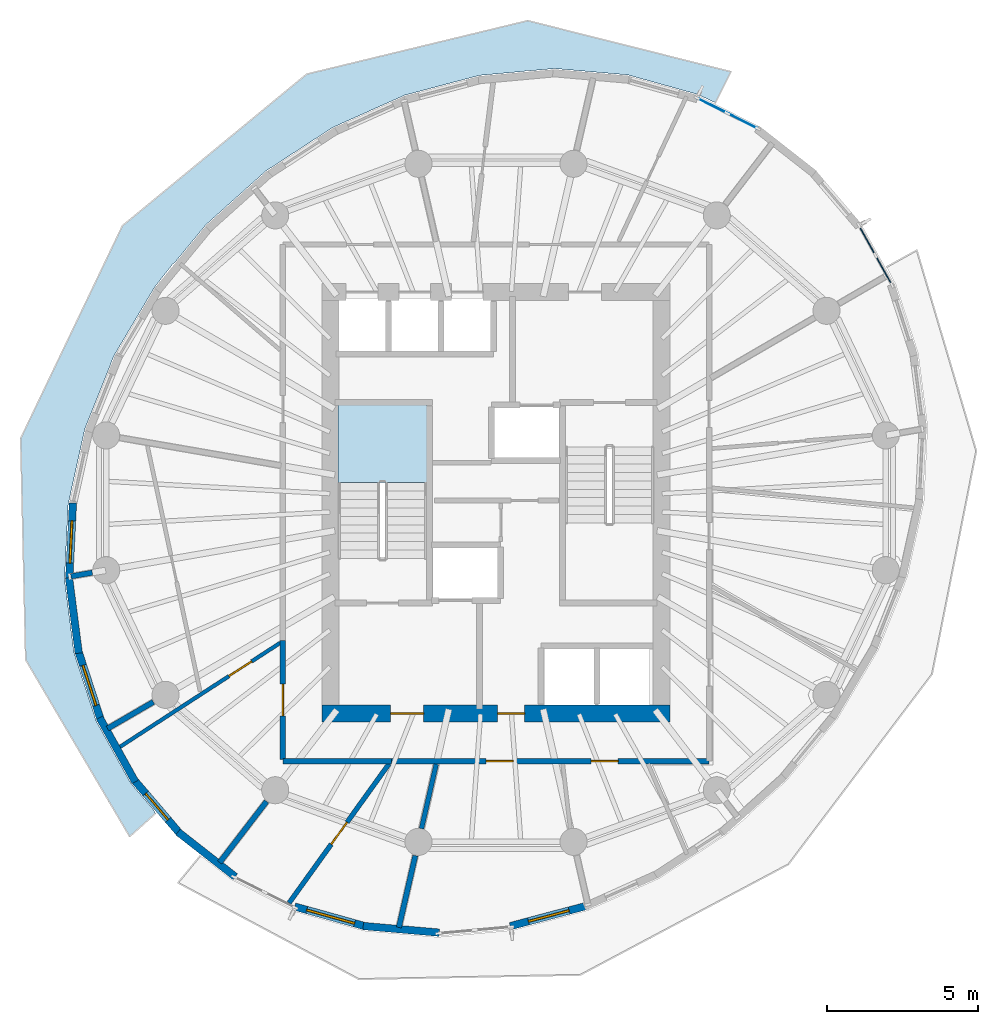
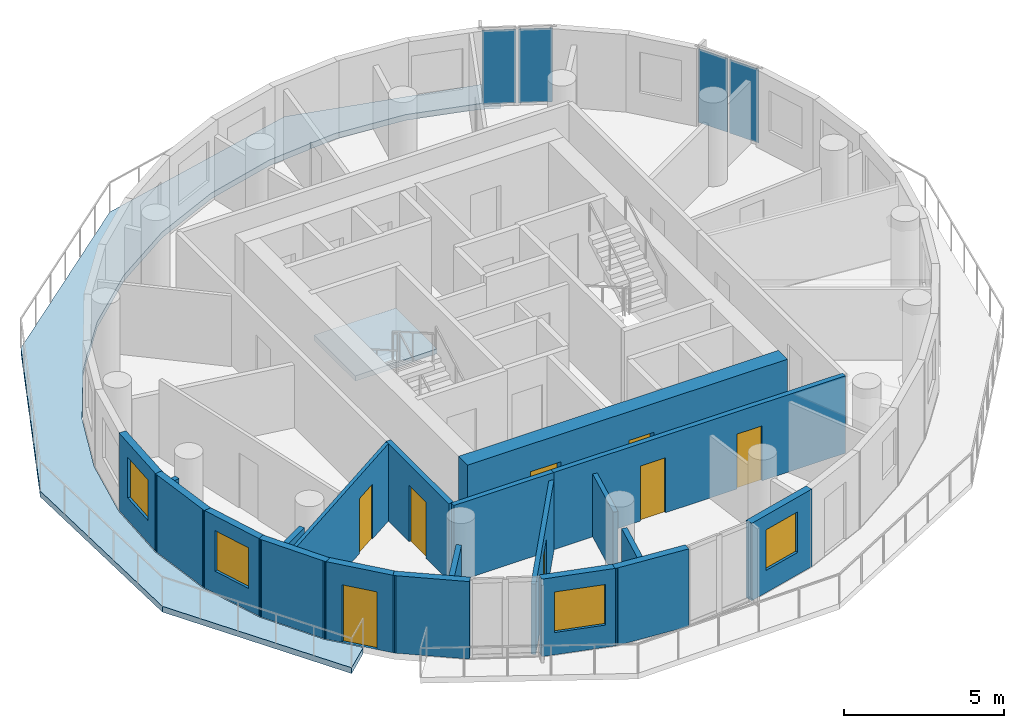
# One storey, part 4 of 10: 20 walls, 8 doors, 4 plates, 4 windows, 2 slabs, 12 openings, 3 elements without a shape of their own.
"""IFC4 building model written with IfcOpenShell, lengths in metres."""

from ifc_helpers import new_model, si_unit, direction, frame, frame_2d, origin, origin_2d, place, context, subcontext, project, spatial, polyline, rectangle, outline, extrude, material, layer, layer_set, type_object, element, fill, aggregate, save


model = new_model("IFC4")

# Units and contexts
model_context = context("Model", 3, precision=1e-05, world=origin(), true_north=direction((0.0, 1.0)))
body_context = subcontext(model_context, "Body", "Model", "MODEL_VIEW")
ifc_project = project(units=[si_unit("LENGTHUNIT", "METRE"), si_unit("AREAUNIT", "SQUARE_METRE"), si_unit("VOLUMEUNIT", "CUBIC_METRE"), si_unit("PLANEANGLEUNIT", "RADIAN"), si_unit("MASSUNIT", "GRAM", prefix="KILO")], contexts=[model_context])

# Site, building, storey
site_placement = place(None, origin())
site = spatial("IfcSite", under=ifc_project, at=site_placement, CompositionType="ELEMENT")
building_placement = place(site_placement, origin())
building = spatial("IfcBuilding", under=site, at=building_placement, Name="Veldorim Arch Residences", CompositionType="ELEMENT")
storey_placement = place(building_placement, frame((0.0, 0.0, 188.639892578125)))
storey = spatial("IfcBuildingStorey", under=building, at=storey_placement, Name="L56", CompositionType="ELEMENT", Elevation=188.639892578125)

# Slab
ifc_material_1 = material(Name="Concrete C40/50", Category="concrete")
ifc_layer_1 = layer(ifc_material_1, 0.219970703125, Name="Planted Crescent Cantilever Balcony Slab 220")
ifc_layer_set_1 = layer_set([ifc_layer_1], Name="Concrete C40/50")
slab_type_1 = type_object("IfcSlabType", Name="Planted Crescent Cantilever Balcony Slab 220", PredefinedType="FLOOR", material=ifc_layer_set_1)
slab_1_placement = place(storey_placement, frame((0.0, 0.0, -0.219970703125)))
element("IfcSlab", 1, at=slab_1_placement, inside=storey, type_object=slab_type_1, Name="L56 planted crescent balcony slab A", PredefinedType="FLOOR", context=body_context, shape_type="SweptSolid", body=[
    extrude(outline(polyline([(39.28564453125, 37.28955078125), (38.68505859375, 37.567138671875), (36.380615234375, 38.210205078125), (33.943115234375, 38.421630859375), (33.142822265625, 38.348876953125), (33.048095703125, 38.365234375), (32.92724609375, 38.329345703125), (31.447021484375, 38.194580078125), (28.967529296875, 37.53662109375), (26.58056640625, 36.46728515625), (24.358154296875, 35.019287109375), (22.3681640625, 33.23681640625), (21.35693359375, 32.008056640625), (21.263916015625, 31.928955078125), (20.67041015625, 31.173583984375), (19.31689453125, 28.892578125), (18.348388671875, 26.462890625), (17.794677734375, 23.958251953125), (17.67236328125, 21.45458984375), (17.985595703125, 19.0283203125), (18.724609375, 16.752685546875), (19.867431640625, 14.697265625), (20.63232421875, 13.80029296875), (20.68994140625, 13.6826171875), (19.83251953125, 12.916015625), (16.380615234375, 18.785400390625), (16.214599609375, 26.140380859375), (19.595458984375, 33.204345703125), (25.710205078125, 38.236572265625), (33.0537109375, 40.0126953125), (39.800537109375, 38.31787109375), (39.28564453125, 37.28955078125)])), origin(), (0.0, 0.0, 1.0), 0.219970703125),
])

# Stair, slab
ifc_material_2 = material(Name="Concrete C40/50", Category="concrete")
stair_type = type_object("IfcStairType", Name="Reinforced Concrete Dogleg Exit Staircase", PredefinedType="HALF_TURN_STAIR", material=ifc_material_2)
stair_placement = place(storey_placement, origin())
stair = element("IfcStair", 2, at=stair_placement, inside=storey, type_object=stair_type, Name="L56 Exit Staircase ST-1", PredefinedType="HALF_TURN_STAIR")
ifc_material_3 = material(Name="Concrete C40/50", Category="concrete")
ifc_layer_2 = layer(ifc_material_3, 0.199951171875, Name="Reinforced Concrete Stair Landing 200")
ifc_layer_set_2 = layer_set([ifc_layer_2], Name="Concrete C40/50")
slab_type_2 = type_object("IfcSlabType", Name="Reinforced Concrete Stair Landing 200", PredefinedType="LANDING", material=ifc_layer_set_2)
slab_2_placement = place(storey_placement, frame((0.0, 0.0, 1.400146484375)))
slab_2 = element("IfcSlab", 3, at=slab_2_placement, type_object=slab_type_2, Name="ST-1 landing 1", PredefinedType="LANDING", context=body_context, shape_type="SweptSolid", body=[
    extrude(outline(polyline([(29.7099609375, 24.669921875), (29.7099609375, 27.25), (26.75, 27.25), (26.75, 24.669921875), (29.7099609375, 24.669921875)])), origin(), (0.0, 0.0, 1.0), 0.199951171875),
])
aggregate(stair, [slab_2])

# Curtain wall, plates
ifc_material_4 = material(Name="Aluminium", Category="aluminium")
curtain_wall_type = type_object("IfcCurtainWallType", Name="Zone 4 High-Altitude Unitised Curtain Wall", PredefinedType="NOTDEFINED", material=ifc_material_4)
curtain_wall_1_placement = place(storey_placement, origin())
curtain_wall_1 = element("IfcCurtainWall", 4, at=curtain_wall_1_placement, inside=storey, type_object=curtain_wall_type, Name="L56 unitised curtain wall bay 02", PredefinedType="NOTDEFINED")
ifc_material_5 = material(Name="Laminated Low-E Glass", Category="glass")
ifc_layer_3 = layer(ifc_material_5, 0.030029296875, Name="Zone 4 High-Altitude Unitised Curtain Wall Glazing Panel 30")
ifc_layer_set_3 = layer_set([ifc_layer_3], Name="Laminated Low-E Glass")
plate_type = type_object("IfcPlateType", Name="Zone 4 High-Altitude Unitised Curtain Wall Glazing Panel 30", PredefinedType="CURTAIN_PANEL", material=ifc_layer_set_3)
plate_1_placement = place(storey_placement, frame((39.176513671875, 37.191650390625, 0.0751953125), z_axis=(0.0, 0.0, 1.0), x_axis=(0.893599006107, -0.448866145175, 0.0)))
plate_1 = element("IfcPlate", 5, at=plate_1_placement, type_object=plate_type, Name="CW-Z4 panel 1.1", PredefinedType="CURTAIN_PANEL", context=body_context, shape_type="SweptSolid", body=[
    extrude(rectangle(XDim=1.060791015625, YDim=0.030029296875, at=origin_2d()), origin(), (0.0, 0.0, 1.0), 2.81005859375),
])
plate_2_placement = place(storey_placement, frame((40.191650390625, 36.681640625, 0.0751953125), z_axis=(0.0, 0.0, 1.0), x_axis=(0.893599006107, -0.448866145175, 0.0)))
plate_2 = element("IfcPlate", 6, at=plate_2_placement, type_object=plate_type, Name="CW-Z4 panel 2.1", PredefinedType="CURTAIN_PANEL", context=body_context, shape_type="SweptSolid", body=[
    extrude(rectangle(XDim=1.060791015625, YDim=0.030029296875, at=origin_2d()), origin(), (0.0, 0.0, 1.0), 2.81005859375),
])
aggregate(curtain_wall_1, [plate_1, plate_2])

curtain_wall_2_placement = place(storey_placement, origin())
curtain_wall_2 = element("IfcCurtainWall", 7, at=curtain_wall_2_placement, inside=storey, type_object=curtain_wall_type, Name="L56 unitised curtain wall bay 35", PredefinedType="NOTDEFINED")
plate_3_placement = place(storey_placement, frame((44.327392578125, 32.715576171875, 0.0751953125), z_axis=(0.0, 0.0, 1.0), x_axis=(0.485885308861, -0.874022577874, 0.0)))
plate_3 = element("IfcPlate", 8, at=plate_3_placement, type_object=plate_type, Name="CW-Z4 panel 1.1", PredefinedType="CURTAIN_PANEL", context=body_context, shape_type="SweptSolid", body=[
    extrude(rectangle(XDim=1.06103515625, YDim=0.030029296875, at=origin_2d()), origin(), (0.0, 0.0, 1.0), 2.81005859375),
])
plate_4_placement = place(storey_placement, frame((44.87939453125, 31.722900390625, 0.0751953125), z_axis=(0.0, 0.0, 1.0), x_axis=(0.485885308861, -0.874022577874, 0.0)))
plate_4 = element("IfcPlate", 9, at=plate_4_placement, type_object=plate_type, Name="CW-Z4 panel 2.1", PredefinedType="CURTAIN_PANEL", context=body_context, shape_type="SweptSolid", body=[
    extrude(rectangle(XDim=1.06103515625, YDim=0.030029296875, at=origin_2d()), origin(), (0.0, 0.0, 1.0), 2.81005859375),
])
aggregate(curtain_wall_2, [plate_3, plate_4])

# Wall, opening, door
ifc_material_6 = material(Name="Acoustic Gypsum Board", Category="gypsum")
ifc_layer_4 = layer(ifc_material_6, 0.125, Name="Acoustic Stud Room Partition Wall 125")
ifc_layer_set_4 = layer_set([ifc_layer_4], Name="Acoustic Gypsum Board")
wall_type_1 = type_object("IfcWallType", Name="Acoustic Stud Room Partition Wall 125", PredefinedType="PARTITIONING", material=ifc_layer_set_4)
wall_1_placement = place(storey_placement, frame((19.421875, 15.838134765625, 0.0), z_axis=(0.0, 0.0, 1.0), x_axis=(0.838876327826, 0.544322061479, 0.0)))
wall_1 = element("IfcWall", 10, at=wall_1_placement, inside=storey, type_object=wall_type_1, Name="L56 interior wall WL-RES-L56-021", PredefinedType="PARTITIONING", context=body_context, shape_type="SweptSolid", body=[
    extrude(rectangle(XDim=6.454345703125, YDim=0.125, at=frame_2d((3.22705078125, 0.0))), origin(), (0.0, 0.0, 1.0), 2.955078125),
])
opening_1_placement = place(wall_1_placement, frame((4.41943359375, 0.0, 0.0)))
opening_1 = element("IfcOpeningElement", 11, at=opening_1_placement, cuts=wall_1, Name="Opening DR-INT", PredefinedType="OPENING", context=body_context, shape_type="SweptSolid", body=[
    extrude(rectangle(XDim=0.89990234375, YDim=2.10009765625, at=frame_2d((0.449951171875, 1.050048828125))), frame((0.0, 0.072509765625, 0.0), z_axis=(0.0, -1.0, 0.0), x_axis=(1.0, 0.0, 0.0)), (0.0, 0.0, 1.0), 0.14501953125),
])
ifc_material_7 = material(Name="Engineered Timber", Category="wood")
door_type_1 = type_object("IfcDoorType", Name="Apartment Internal Room Timber Door 900x2100", OperationType="SINGLE_SWING_LEFT", PredefinedType="DOOR", material=ifc_material_7)
door_1_placement = place(opening_1_placement, origin())
door_1 = element("IfcDoor", 12, at=door_1_placement, inside=storey, type_object=door_type_1, Name="L56 interior door DR-RES-L56-014", OperationType="SINGLE_SWING_RIGHT", OverallHeight=2.10009765625, OverallWidth=0.89990234375, PredefinedType="DOOR", context=body_context, shape_type="SweptSolid", body=[
    extrude(rectangle(XDim=0.89990234375, YDim=2.10009765625, at=frame_2d((0.449951171875, 1.050048828125))), frame((0.0, 0.02490234375, 0.0), z_axis=(0.0, -1.0, 0.0), x_axis=(1.0, 0.0, 0.0)), (0.0, 0.0, 1.0), 0.050048828125),
])
fill(opening_1, door_1)

# Walls
ifc_material_8 = material(Name="Lightweight Masonry Block & Gypsum", Category="masonry")
ifc_layer_5 = layer(ifc_material_8, 0.179931640625, Name="Compartment & Corridor Fire-Rated Party Wall 180")
ifc_layer_set_5 = layer_set([ifc_layer_5], Name="Lightweight Masonry Block & Gypsum")
wall_type_2 = type_object("IfcWallType", Name="Compartment & Corridor Fire-Rated Party Wall 180", PredefinedType="PARTITIONING", material=ifc_layer_set_5)
wall_2_placement = place(storey_placement, frame((18.590576171875, 21.680419921875, 0.0), z_axis=(0.0, 0.0, 1.0), x_axis=(-0.985336223431, -0.170623933826, 0.0)))
element("IfcWall", 13, at=wall_2_placement, inside=storey, type_object=wall_type_2, Name="L56 interior wall WL-PIER-L56-09", PredefinedType="PARTITIONING", context=body_context, shape_type="SweptSolid", body=[
    extrude(rectangle(XDim=0.71826171875, YDim=0.179931640625, at=frame_2d((0.359130859375, 0.0))), origin(), (0.0, 0.0, 1.0), 2.403564453125),
])
wall_3_placement = place(storey_placement, frame((20.6181640625, 17.385986328125, 0.0), z_axis=(0.0, 0.0, 1.0), x_axis=(-0.86461381872, -0.502437005482, 0.0)))
element("IfcWall", 14, at=wall_3_placement, inside=storey, type_object=wall_type_2, Name="L56 interior wall WL-PIER-L56-10", PredefinedType="PARTITIONING", context=body_context, shape_type="SweptSolid", body=[
    extrude(rectangle(XDim=1.758056640625, YDim=0.179931640625, at=frame_2d((0.87890625, 0.0))), origin(), (0.0, 0.0, 1.0), 2.403564453125),
])
wall_4_placement = place(storey_placement, frame((24.380126953125, 14.08203125, 0.0), z_axis=(0.0, 0.0, 1.0), x_axis=(-0.609249164273, -0.792978849549, 0.0)))
element("IfcWall", 15, at=wall_4_placement, inside=storey, type_object=wall_type_2, Name="L56 interior wall WL-PIER-L56-11", PredefinedType="PARTITIONING", context=body_context, shape_type="SweptSolid", body=[
    extrude(rectangle(XDim=2.556640625, YDim=0.179931640625, at=frame_2d((1.2783203125, 0.0))), origin(), (0.0, 0.0, 1.0), 2.403564453125),
])
wall_5_placement = place(storey_placement, frame((29.320068359375, 12.282470703125, 0.0), z_axis=(0.0, 0.0, 1.0), x_axis=(-0.222943921747, -0.974831271429, 0.0)))
element("IfcWall", 16, at=wall_5_placement, inside=storey, type_object=wall_type_2, Name="L56 interior wall WL-PIER-L56-12", PredefinedType="PARTITIONING", context=body_context, shape_type="SweptSolid", body=[
    extrude(rectangle(XDim=2.448486328125, YDim=0.179931640625, at=frame_2d((1.22412109375, 0.0))), origin(), (0.0, 0.0, 1.0), 2.403564453125),
])

# Wall, openings, doors
wall_6_placement = place(storey_placement, frame((39.080078125, 15.419921875, 0.0), z_axis=(0.0, 0.0, 1.0), x_axis=(-1.0, 0.0, 0.0)))
wall_6 = element("IfcWall", 17, at=wall_6_placement, inside=storey, type_object=wall_type_2, Name="L56 interior wall WL-RES-L56-003", PredefinedType="PARTITIONING", context=body_context, shape_type="SweptSolid", body=[
    extrude(rectangle(XDim=10.593994140625, YDim=0.179931640625, at=frame_2d((5.296875, 0.0))), origin(), (0.0, 0.0, 1.0), 2.955078125),
])
opening_2_placement = place(wall_6_placement, frame((3.021484375, 0.0, 0.0)))
opening_2 = element("IfcOpeningElement", 18, at=opening_2_placement, cuts=wall_6, Name="Opening DR-INT", PredefinedType="OPENING", context=body_context, shape_type="SweptSolid", body=[
    extrude(rectangle(XDim=0.89990234375, YDim=2.10009765625, at=frame_2d((0.449951171875, 1.050048828125))), frame((0.0, 0.099853515625, 0.0), z_axis=(0.0, -1.0, 0.0), x_axis=(1.0, 0.0, 0.0)), (0.0, 0.0, 1.0), 0.199951171875),
])
opening_3_placement = place(wall_6_placement, frame((6.50830078125, 0.0, 0.0)))
opening_3 = element("IfcOpeningElement", 19, at=opening_3_placement, cuts=wall_6, Name="Opening DR-INT", PredefinedType="OPENING", context=body_context, shape_type="SweptSolid", body=[
    extrude(rectangle(XDim=0.89990234375, YDim=2.10009765625, at=frame_2d((0.449951171875, 1.050048828125))), frame((0.0, 0.099853515625, 0.0), z_axis=(0.0, -1.0, 0.0), x_axis=(1.0, 0.0, 0.0)), (0.0, 0.0, 1.0), 0.199951171875),
])
door_2_placement = place(opening_2_placement, origin())
door_2 = element("IfcDoor", 20, at=door_2_placement, inside=storey, type_object=door_type_1, Name="L56 interior door DR-RES-L56-004", OperationType="SINGLE_SWING_RIGHT", OverallHeight=2.10009765625, OverallWidth=0.89990234375, PredefinedType="DOOR", context=body_context, shape_type="SweptSolid", body=[
    extrude(rectangle(XDim=0.89990234375, YDim=2.10009765625, at=frame_2d((0.449951171875, 1.050048828125))), frame((0.0, 0.02490234375, 0.0), z_axis=(0.0, -1.0, 0.0), x_axis=(1.0, 0.0, 0.0)), (0.0, 0.0, 1.0), 0.050048828125),
])
fill(opening_2, door_2)
door_3_placement = place(opening_3_placement, origin())
door_3 = element("IfcDoor", 21, at=door_3_placement, inside=storey, type_object=door_type_1, Name="L56 interior door DR-RES-L56-005", OperationType="SINGLE_SWING_LEFT", OverallHeight=2.10009765625, OverallWidth=0.89990234375, PredefinedType="DOOR", context=body_context, shape_type="SweptSolid", body=[
    extrude(rectangle(XDim=0.89990234375, YDim=2.10009765625, at=frame_2d((0.449951171875, 1.050048828125))), frame((0.0, 0.02490234375, 0.0), z_axis=(0.0, -1.0, 0.0), x_axis=(1.0, 0.0, 0.0)), (0.0, 0.0, 1.0), 0.050048828125),
])
fill(opening_3, door_3)

# Wall
wall_7_placement = place(storey_placement, frame((28.53076171875, 15.419921875, 0.0), z_axis=(0.0, 0.0, 1.0), x_axis=(-1.0, 0.0, 0.0)))
element("IfcWall", 22, at=wall_7_placement, inside=storey, type_object=wall_type_2, Name="L56 interior wall WL-RES-L56-006", PredefinedType="PARTITIONING", context=body_context, shape_type="SweptSolid", body=[
    extrude(rectangle(XDim=3.61083984375, YDim=0.179931640625, at=frame_2d((1.805419921875, 0.0))), origin(), (0.0, 0.0, 1.0), 2.955078125),
])

# Wall, opening, door
wall_8_placement = place(storey_placement, frame((24.919921875, 15.47998046875, 0.0), z_axis=(0.0, 0.0, 1.0), x_axis=(0.0, 1.0, 0.0)))
wall_8 = element("IfcWall", 23, at=wall_8_placement, inside=storey, type_object=wall_type_2, Name="L56 interior wall WL-RES-L56-007", PredefinedType="PARTITIONING", context=body_context, shape_type="SweptSolid", body=[
    extrude(rectangle(XDim=3.94580078125, YDim=0.179931640625, at=frame_2d((1.972900390625, 0.0))), origin(), (0.0, 0.0, 1.0), 2.955078125),
])
opening_4_placement = place(wall_8_placement, frame((1.447998046875, 0.0, 0.0)))
opening_4 = element("IfcOpeningElement", 24, at=opening_4_placement, cuts=wall_8, Name="Opening DR-FLT", PredefinedType="OPENING", context=body_context, shape_type="SweptSolid", body=[
    extrude(rectangle(XDim=1.050048828125, YDim=2.14990234375, at=frame_2d((0.52490234375, 1.074951171875))), frame((0.0, 0.099853515625, 0.0), z_axis=(0.0, -1.0, 0.0), x_axis=(1.0, 0.0, 0.0)), (0.0, 0.0, 1.0), 0.199951171875),
])
ifc_material_9 = material(Name="Fire-Rated Timber", Category="wood")
door_type_2 = type_object("IfcDoorType", Name="Apartment Entrance Solid-Core Fire Door 1050x2150", OperationType="SINGLE_SWING_LEFT", PredefinedType="DOOR", material=ifc_material_9)
door_4_placement = place(opening_4_placement, origin())
door_4 = element("IfcDoor", 25, at=door_4_placement, inside=storey, type_object=door_type_2, Name="L56 interior door DR-RES-L56-012", OperationType="SINGLE_SWING_RIGHT", OverallHeight=2.14990234375, OverallWidth=1.050048828125, PredefinedType="DOOR", context=body_context, shape_type="SweptSolid", body=[
    extrude(rectangle(XDim=1.050048828125, YDim=2.14990234375, at=frame_2d((0.52490234375, 1.074951171875))), frame((0.0, 0.02490234375, 0.0), z_axis=(0.0, -1.0, 0.0), x_axis=(1.0, 0.0, 0.0)), (0.0, 0.0, 1.0), 0.050048828125),
])
fill(opening_4, door_4)

# Wall, opening, window
ifc_material_10 = material(Name="Precast concrete C40/50", Category="concrete")
ifc_layer_6 = layer(ifc_material_10, 0.25, Name="Tower Terracotta Spandrel & Pier Wall 250")
ifc_layer_set_6 = layer_set([ifc_layer_6], Name="Precast concrete C40/50")
wall_type_3 = type_object("IfcWallType", Name="Tower Terracotta Spandrel & Pier Wall 250", PredefinedType="SOLIDWALL", material=ifc_layer_set_6)
wall_9_placement = place(storey_placement, frame((17.8203125, 21.404541015625, 0.0), z_axis=(0.0, 0.0, 1.0), x_axis=(0.048688181414, 0.99881402723, 0.0)))
wall_9 = element("IfcWall", 26, at=wall_9_placement, inside=storey, type_object=wall_type_3, Name="L56 terracotta facade wall 14", PredefinedType="SOLIDWALL", context=body_context, shape_type="SweptSolid", body=[
    extrude(rectangle(XDim=2.592529296875, YDim=0.25, at=frame_2d((1.29638671875, 0.0))), origin(), (0.0, 0.0, 1.0), 2.960205078125),
])
opening_5_placement = place(wall_9_placement, frame((0.595947265625, 0.0, 0.85009765625)))
opening_5 = element("IfcOpeningElement", 27, at=opening_5_placement, cuts=wall_9, Name="Opening WN-02", PredefinedType="OPENING", context=body_context, shape_type="SweptSolid", body=[
    extrude(rectangle(XDim=1.39990234375, YDim=1.550048828125, at=frame_2d((0.699951171875, 0.77490234375))), frame((0.0, 0.135009765625, 0.0), z_axis=(0.0, -1.0, 0.0), x_axis=(1.0, 0.0, 0.0)), (0.0, 0.0, 1.0), 0.27001953125),
])
ifc_material_11 = material(Name="Laminated Low-E Glass", Category="glass")
window_type_1 = type_object("IfcWindowType", Name="Residential Casement Window 1400x1550", PartitioningType="SINGLE_PANEL", PredefinedType="WINDOW", material=ifc_material_11)
window_1_placement = place(opening_5_placement, origin())
window_1 = element("IfcWindow", 28, at=window_1_placement, inside=storey, type_object=window_type_1, Name="L56 solar-control facade window 14", OverallHeight=1.550048828125, OverallWidth=1.39990234375, PartitioningType="SINGLE_PANEL", PredefinedType="WINDOW", context=body_context, shape_type="SweptSolid", body=[
    extrude(rectangle(XDim=1.39990234375, YDim=1.550048828125, at=frame_2d((0.699951171875, 0.77490234375))), frame((0.0, 0.030029296875, 0.0), z_axis=(0.0, -1.0, 0.0), x_axis=(1.0, 0.0, 0.0)), (0.0, 0.0, 1.0), 0.06005859375),
])
fill(opening_5, window_1)

# Wall
wall_10_placement = place(storey_placement, frame((18.139892578125, 19.005126953125, 0.0), z_axis=(0.0, 0.0, 1.0), x_axis=(-0.128057007482, 0.991766808698, 0.0)))
element("IfcWall", 29, at=wall_10_placement, inside=storey, type_object=wall_type_3, Name="L56 terracotta facade wall 15", PredefinedType="SOLIDWALL", context=body_context, shape_type="SweptSolid", body=[
    extrude(rectangle(XDim=2.53173828125, YDim=0.25, at=frame_2d((1.265869140625, 0.0))), origin(), (0.0, 0.0, 1.0), 2.960205078125),
])

# Wall, opening, window
wall_11_placement = place(storey_placement, frame((18.880615234375, 16.758544921875, 0.0), z_axis=(0.0, 0.0, 1.0), x_axis=(-0.309005861828, 0.951060133407, 0.0)))
wall_11 = element("IfcWall", 30, at=wall_11_placement, inside=storey, type_object=wall_type_3, Name="L56 terracotta facade wall 16", PredefinedType="SOLIDWALL", context=body_context, shape_type="SweptSolid", body=[
    extrude(rectangle(XDim=2.477783203125, YDim=0.25, at=frame_2d((1.23876953125, 0.0))), origin(), (0.0, 0.0, 1.0), 2.960205078125),
])
opening_6_placement = place(wall_11_placement, frame((0.5390625, 0.0, 0.85009765625)))
opening_6 = element("IfcOpeningElement", 31, at=opening_6_placement, cuts=wall_11, Name="Opening WN-02", PredefinedType="OPENING", context=body_context, shape_type="SweptSolid", body=[
    extrude(rectangle(XDim=1.39990234375, YDim=1.550048828125, at=frame_2d((0.699951171875, 0.77490234375))), frame((0.0, 0.135009765625, 0.0), z_axis=(0.0, -1.0, 0.0), x_axis=(1.0, 0.0, 0.0)), (0.0, 0.0, 1.0), 0.27001953125),
])
window_2_placement = place(opening_6_placement, origin())
window_2 = element("IfcWindow", 32, at=window_2_placement, inside=storey, type_object=window_type_1, Name="L56 solar-control facade window 16", OverallHeight=1.550048828125, OverallWidth=1.39990234375, PartitioningType="SINGLE_PANEL", PredefinedType="WINDOW", context=body_context, shape_type="SweptSolid", body=[
    extrude(rectangle(XDim=1.39990234375, YDim=1.550048828125, at=frame_2d((0.699951171875, 0.77490234375))), frame((0.0, 0.030029296875, 0.0), z_axis=(0.0, -1.0, 0.0), x_axis=(1.0, 0.0, 0.0)), (0.0, 0.0, 1.0), 0.06005859375),
])
fill(opening_6, window_2)

# Wall
wall_12_placement = place(storey_placement, frame((20.01904296875, 14.73291015625, 0.0), z_axis=(0.0, 0.0, 1.0), x_axis=(-0.485821561791, 0.874058013005, 0.0)))
element("IfcWall", 33, at=wall_12_placement, inside=storey, type_object=wall_type_3, Name="L56 terracotta facade wall 17", PredefinedType="SOLIDWALL", context=body_context, shape_type="SweptSolid", body=[
    extrude(rectangle(XDim=2.436767578125, YDim=0.25, at=frame_2d((1.21826171875, 0.0))), origin(), (0.0, 0.0, 1.0), 2.960205078125),
])

# Wall, opening, door
wall_13_placement = place(storey_placement, frame((21.520751953125, 12.989501953125, 0.0), z_axis=(0.0, 0.0, 1.0), x_axis=(-0.648874307696, 0.760895612297, 0.0)))
wall_13 = element("IfcWall", 34, at=wall_13_placement, inside=storey, type_object=wall_type_3, Name="L56 terracotta facade wall 18", PredefinedType="SOLIDWALL", context=body_context, shape_type="SweptSolid", body=[
    extrude(rectangle(XDim=2.414794921875, YDim=0.25, at=frame_2d((1.20751953125, 0.0))), origin(), (0.0, 0.0, 1.0), 2.960205078125),
])
opening_7_placement = place(wall_13_placement, frame((0.632080078125, 0.0, 0.0)))
opening_7 = element("IfcOpeningElement", 35, at=opening_7_placement, cuts=wall_13, Name="Opening BL-DR", PredefinedType="OPENING", context=body_context, shape_type="SweptSolid", body=[
    extrude(rectangle(XDim=1.14990234375, YDim=2.199951171875, at=frame_2d((0.574951171875, 1.10009765625))), frame((0.0, 0.135009765625, 0.0), z_axis=(0.0, -1.0, 0.0), x_axis=(1.0, 0.0, 0.0)), (0.0, 0.0, 1.0), 0.27001953125),
])
ifc_material_12 = material(Name="Aluminium & Low-E Glass", Category="aluminium")
door_type_3 = type_object("IfcDoorType", Name="Glazed Planted Balcony Door 1150x2200", OperationType="SINGLE_SWING_LEFT", PredefinedType="DOOR", material=ifc_material_12)
door_5_placement = place(opening_7_placement, origin())
door_5 = element("IfcDoor", 36, at=door_5_placement, inside=storey, type_object=door_type_3, Name="L56 glazed outdoor terrace door BALC-1", OperationType="SINGLE_SWING_RIGHT", OverallHeight=2.199951171875, OverallWidth=1.14990234375, PredefinedType="DOOR", context=body_context, shape_type="SweptSolid", body=[
    extrude(rectangle(XDim=1.14990234375, YDim=2.199951171875, at=frame_2d((0.574951171875, 1.10009765625))), frame((0.0, 0.02490234375, 0.0), z_axis=(0.0, -1.0, 0.0), x_axis=(1.0, 0.0, 0.0)), (0.0, 0.0, 1.0), 0.050048828125),
])
fill(opening_7, door_5)

# Wall
wall_14_placement = place(storey_placement, frame((23.33935546875, 11.580322265625, 0.0), z_axis=(0.0, 0.0, 1.0), x_axis=(-0.787404715416, 0.616436382883, 0.0)))
element("IfcWall", 37, at=wall_14_placement, inside=storey, type_object=wall_type_3, Name="L56 terracotta facade wall 19", PredefinedType="SOLIDWALL", context=body_context, shape_type="SweptSolid", body=[
    extrude(rectangle(XDim=2.414794921875, YDim=0.25, at=frame_2d((1.20751953125, 0.0))), origin(), (0.0, 0.0, 1.0), 2.960205078125),
])

# Wall, opening, window
wall_15_placement = place(storey_placement, frame((27.70068359375, 9.922607421875, 0.0), z_axis=(0.0, 0.0, 1.0), x_axis=(-0.96316841201, 0.26889888454, 0.0)))
wall_15 = element("IfcWall", 38, at=wall_15_placement, inside=storey, type_object=wall_type_3, Name="L56 terracotta facade wall 21", PredefinedType="SOLIDWALL", context=body_context, shape_type="SweptSolid", body=[
    extrude(rectangle(XDim=2.477783203125, YDim=0.25, at=frame_2d((1.23876953125, 0.0))), origin(), (0.0, 0.0, 1.0), 2.960205078125),
])
opening_8_placement = place(wall_15_placement, frame((0.4140625, 0.0, 0.85009765625)))
opening_8 = element("IfcOpeningElement", 39, at=opening_8_placement, cuts=wall_15, Name="Opening WN-03", PredefinedType="OPENING", context=body_context, shape_type="SweptSolid", body=[
    extrude(rectangle(XDim=1.64990234375, YDim=1.550048828125, at=frame_2d((0.824951171875, 0.77490234375))), frame((0.0, 0.135009765625, 0.0), z_axis=(0.0, -1.0, 0.0), x_axis=(1.0, 0.0, 0.0)), (0.0, 0.0, 1.0), 0.27001953125),
])
ifc_material_13 = material(Name="Laminated Low-E Glass", Category="glass")
window_type_2 = type_object("IfcWindowType", Name="Residential Wide Window 1650x1550", PartitioningType="SINGLE_PANEL", PredefinedType="WINDOW", material=ifc_material_13)
window_3_placement = place(opening_8_placement, origin())
window_3 = element("IfcWindow", 40, at=window_3_placement, inside=storey, type_object=window_type_2, Name="L56 solar-control facade window 21", OverallHeight=1.550048828125, OverallWidth=1.64990234375, PartitioningType="SINGLE_PANEL", PredefinedType="WINDOW", context=body_context, shape_type="SweptSolid", body=[
    extrude(rectangle(XDim=1.64990234375, YDim=1.550048828125, at=frame_2d((0.824951171875, 0.77490234375))), frame((0.0, 0.030029296875, 0.0), z_axis=(0.0, -1.0, 0.0), x_axis=(1.0, 0.0, 0.0)), (0.0, 0.0, 1.0), 0.06005859375),
])
fill(opening_8, window_3)

# Wall
wall_16_placement = place(storey_placement, frame((30.1123046875, 9.72412109375, 0.0), z_axis=(0.0, 0.0, 1.0), x_axis=(-0.996260822813, 0.08639660252, 0.0)))
element("IfcWall", 41, at=wall_16_placement, inside=storey, type_object=wall_type_3, Name="L56 terracotta facade wall 22", PredefinedType="SOLIDWALL", context=body_context, shape_type="SweptSolid", body=[
    extrude(rectangle(XDim=2.531982421875, YDim=0.25, at=frame_2d((1.26611328125, 0.0))), origin(), (0.0, 0.0, 1.0), 2.960205078125),
])

# Wall, opening, window
wall_17_placement = place(storey_placement, frame((35.035400390625, 10.619384765625, 0.0), z_axis=(0.0, 0.0, 1.0), x_axis=(-0.96652474621, -0.256573410476, 0.0)))
wall_17 = element("IfcWall", 42, at=wall_17_placement, inside=storey, type_object=wall_type_3, Name="L56 terracotta facade wall 24", PredefinedType="SOLIDWALL", context=body_context, shape_type="SweptSolid", body=[
    extrude(rectangle(XDim=2.65087890625, YDim=0.25, at=frame_2d((1.325439453125, 0.0))), origin(), (0.0, 0.0, 1.0), 2.960205078125),
])
opening_9_placement = place(wall_17_placement, frame((0.6259765625, 0.0, 0.85009765625)))
opening_9 = element("IfcOpeningElement", 43, at=opening_9_placement, cuts=wall_17, Name="Opening WN-02", PredefinedType="OPENING", context=body_context, shape_type="SweptSolid", body=[
    extrude(rectangle(XDim=1.39990234375, YDim=1.550048828125, at=frame_2d((0.699951171875, 0.77490234375))), frame((0.0, 0.135009765625, 0.0), z_axis=(0.0, -1.0, 0.0), x_axis=(1.0, 0.0, 0.0)), (0.0, 0.0, 1.0), 0.27001953125),
])
window_4_placement = place(opening_9_placement, origin())
window_4 = element("IfcWindow", 44, at=window_4_placement, inside=storey, type_object=window_type_1, Name="L56 solar-control facade window 24", OverallHeight=1.550048828125, OverallWidth=1.39990234375, PartitioningType="SINGLE_PANEL", PredefinedType="WINDOW", context=body_context, shape_type="SweptSolid", body=[
    extrude(rectangle(XDim=1.39990234375, YDim=1.550048828125, at=frame_2d((0.699951171875, 0.77490234375))), frame((0.0, 0.030029296875, 0.0), z_axis=(0.0, -1.0, 0.0), x_axis=(1.0, 0.0, 0.0)), (0.0, 0.0, 1.0), 0.06005859375),
])
fill(opening_9, window_4)

# Wall, openings, doors
ifc_material_14 = material(Name="Concrete C50/60", Category="concrete")
ifc_layer_7 = layer(ifc_material_14, 0.5, Name="Upper Central Core Shear Wall 560")
ifc_layer_set_7 = layer_set([ifc_layer_7], Name="Concrete C50/60")
wall_type_4 = type_object("IfcWallType", Name="Upper Central Core Shear Wall 560", PredefinedType="SHEAR", material=ifc_layer_set_7)
wall_18_placement = place(storey_placement, frame((26.219970703125, 17.0, 0.0), z_axis=(0.0, 0.0, 1.0), x_axis=(1.0, 0.0, 0.0)))
wall_18 = element("IfcWall", 45, at=wall_18_placement, inside=storey, type_object=wall_type_4, Name="L56 central core south shear wall", PredefinedType="SHEAR", context=body_context, shape_type="SweptSolid", body=[
    extrude(rectangle(XDim=11.56005859375, YDim=0.56005859375, at=frame_2d((5.780029296875, 0.0))), origin(), (0.0, 0.0, 1.0), 3.2001953125),
])
opening_10_placement = place(wall_18_placement, frame((2.280029296875, 0.0, 0.0)))
opening_10 = element("IfcOpeningElement", 46, at=opening_10_placement, cuts=wall_18, Name="Opening DR-FFL", PredefinedType="OPENING", context=body_context, shape_type="SweptSolid", body=[
    extrude(rectangle(XDim=1.10009765625, YDim=2.14990234375, at=frame_2d((0.550048828125, 1.074951171875))), frame((0.0, 0.2900390625, 0.0), z_axis=(0.0, -1.0, 0.0), x_axis=(1.0, 0.0, 0.0)), (0.0, 0.0, 1.0), 0.580078125),
])
opening_11_placement = place(wall_18_placement, frame((5.830078125, 0.0, 0.0)))
opening_11 = element("IfcOpeningElement", 47, at=opening_11_placement, cuts=wall_18, Name="Opening DR-SVC", PredefinedType="OPENING", context=body_context, shape_type="SweptSolid", body=[
    extrude(rectangle(XDim=0.89990234375, YDim=2.10009765625, at=frame_2d((0.449951171875, 1.050048828125))), frame((0.0, 0.2900390625, 0.0), z_axis=(0.0, -1.0, 0.0), x_axis=(1.0, 0.0, 0.0)), (0.0, 0.0, 1.0), 0.580078125),
])
ifc_material_15 = material(Name="Fire-Rated Steel & Vision Glass", Category="steel")
door_type_4 = type_object("IfcDoorType", Name="Firefighting Lobby Smoke-Stop Fire Door 1100x2150", OperationType="SINGLE_SWING_LEFT", PredefinedType="DOOR", material=ifc_material_15)
door_6_placement = place(opening_10_placement, origin())
door_6 = element("IfcDoor", 48, at=door_6_placement, inside=storey, type_object=door_type_4, Name="L56 interior door DR-L56-FFL1", OperationType="SINGLE_SWING_RIGHT", OverallHeight=2.14990234375, OverallWidth=1.10009765625, PredefinedType="DOOR", context=body_context, shape_type="SweptSolid", body=[
    extrude(rectangle(XDim=1.10009765625, YDim=2.14990234375, at=frame_2d((0.550048828125, 1.074951171875))), frame((0.0, 0.02490234375, 0.0), z_axis=(0.0, -1.0, 0.0), x_axis=(1.0, 0.0, 0.0)), (0.0, 0.0, 1.0), 0.050048828125),
])
fill(opening_10, door_6)
ifc_material_16 = material(Name="Fire-Rated Steel", Category="steel")
door_type_5 = type_object("IfcDoorType", Name="Riser, Shelter & Plant Room Rated Steel Door 900x2100", OperationType="SINGLE_SWING_LEFT", PredefinedType="DOOR", material=ifc_material_16)
door_7_placement = place(opening_11_placement, origin())
door_7 = element("IfcDoor", 49, at=door_7_placement, inside=storey, type_object=door_type_5, Name="L56 interior door DR-L56-COR-ANC", OperationType="SINGLE_SWING_LEFT", OverallHeight=2.10009765625, OverallWidth=0.89990234375, PredefinedType="DOOR", context=body_context, shape_type="SweptSolid", body=[
    extrude(rectangle(XDim=0.89990234375, YDim=2.10009765625, at=frame_2d((0.449951171875, 1.050048828125))), frame((0.0, 0.02490234375, 0.0), z_axis=(0.0, -1.0, 0.0), x_axis=(1.0, 0.0, 0.0)), (0.0, 0.0, 1.0), 0.050048828125),
])
fill(opening_11, door_7)

# Wall
ifc_material_17 = material(Name="Moisture-Resistant Gypsum & Stud", Category="gypsum")
ifc_layer_8 = layer(ifc_material_17, 0.159912109375, Name="Wet-Area Moisture-Resistant Plumbing Wall 160")
ifc_layer_set_8 = layer_set([ifc_layer_8], Name="Moisture-Resistant Gypsum & Stud")
wall_type_5 = type_object("IfcWallType", Name="Wet-Area Moisture-Resistant Plumbing Wall 160", PredefinedType="PLUMBINGWALL", material=ifc_layer_set_8)
wall_19_placement = place(storey_placement, frame((29.525146484375, 13.17919921875, 0.0), z_axis=(0.0, 0.0, 1.0), x_axis=(0.222969522248, 0.974825416241, 0.0)))
element("IfcWall", 50, at=wall_19_placement, inside=storey, type_object=wall_type_5, Name="L56 interior wall WL-RES-L56-014", PredefinedType="PLUMBINGWALL", context=body_context, shape_type="SweptSolid", body=[
    extrude(rectangle(XDim=2.19873046875, YDim=0.159912109375, at=frame_2d((1.099365234375, 0.0))), origin(), (0.0, 0.0, 1.0), 2.403564453125),
])

# Wall, opening, door
wall_20_placement = place(storey_placement, frame((28.452392578125, 15.3388671875, 0.0), z_axis=(0.0, 0.0, 1.0), x_axis=(-0.583489481732, -0.812120695899, 0.0)))
wall_20 = element("IfcWall", 51, at=wall_20_placement, inside=storey, type_object=wall_type_5, Name="L56 interior wall WL-RES-L56-020", PredefinedType="PLUMBINGWALL", context=body_context, shape_type="SweptSolid", body=[
    extrude(rectangle(XDim=5.697998046875, YDim=0.159912109375, at=frame_2d((2.84912109375, 0.0))), origin(), (0.0, 0.0, 1.0), 2.692138671875),
])
opening_12_placement = place(wall_20_placement, frame((2.39892578125, 0.0, 0.0)))
opening_12 = element("IfcOpeningElement", 52, at=opening_12_placement, cuts=wall_20, Name="Opening DR-WC", PredefinedType="OPENING", context=body_context, shape_type="SweptSolid", body=[
    extrude(rectangle(XDim=0.89990234375, YDim=2.10009765625, at=frame_2d((0.449951171875, 1.050048828125))), frame((0.0, 0.08984375, 0.0), z_axis=(0.0, -1.0, 0.0), x_axis=(1.0, 0.0, 0.0)), (0.0, 0.0, 1.0), 0.179931640625),
])
ifc_material_18 = material(Name="Laminate Timber", Category="wood")
door_type_6 = type_object("IfcDoorType", Name="Bathroom & Accessible WC Moisture-Sealed Door 900x2100", OperationType="SINGLE_SWING_LEFT", PredefinedType="DOOR", material=ifc_material_18)
door_8_placement = place(opening_12_placement, origin())
door_8 = element("IfcDoor", 53, at=door_8_placement, inside=storey, type_object=door_type_6, Name="L56 interior door DR-RES-L56-013", OperationType="SINGLE_SWING_LEFT", OverallHeight=2.10009765625, OverallWidth=0.89990234375, PredefinedType="DOOR", context=body_context, shape_type="SweptSolid", body=[
    extrude(rectangle(XDim=0.89990234375, YDim=2.10009765625, at=frame_2d((0.449951171875, 1.050048828125))), frame((0.0, 0.02490234375, 0.0), z_axis=(0.0, -1.0, 0.0), x_axis=(1.0, 0.0, 0.0)), (0.0, 0.0, 1.0), 0.050048828125),
])
fill(opening_12, door_8)

save(model, "model.ifc")
